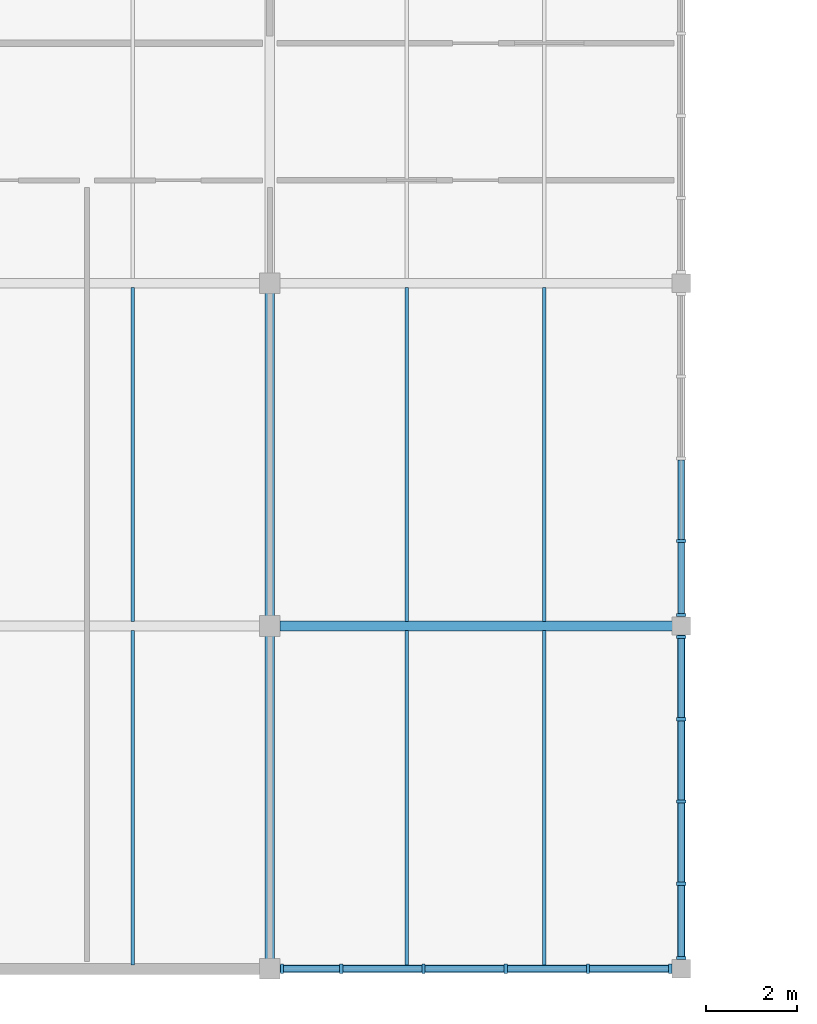
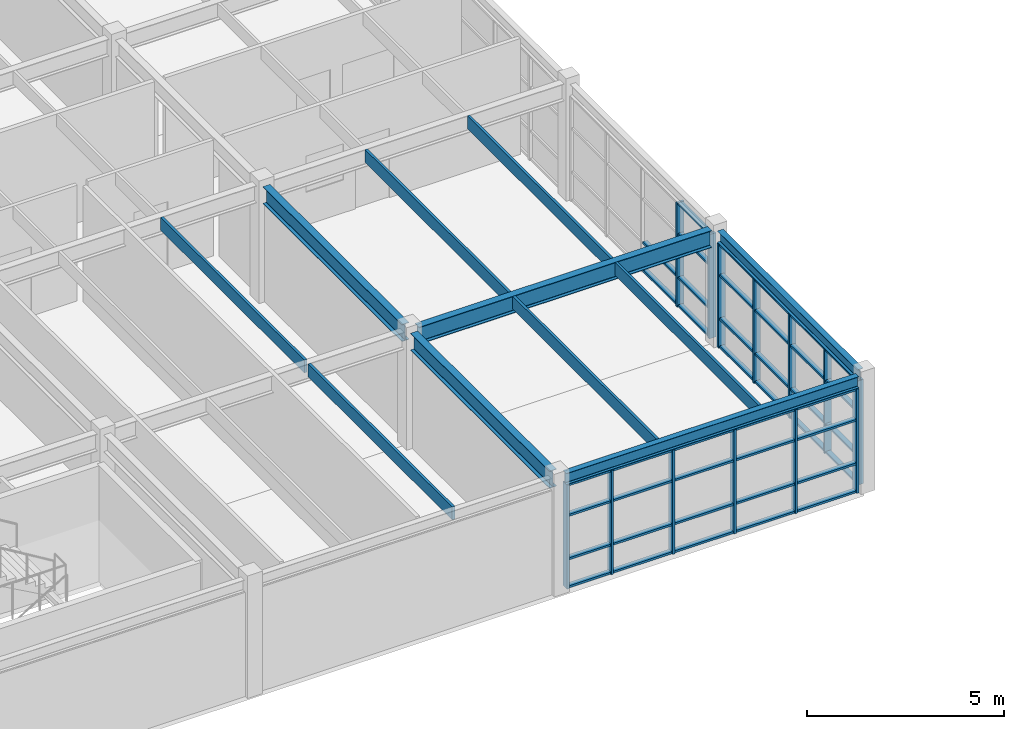
# One storey, part 5 of 81: 55 members, 11 beams, 3 elements without a shape of their own.
"""IFC4 building model written with IfcOpenShell, lengths in metres."""

from ifc_helpers import new_model, si_unit, direction, frame, origin, origin_2d, place, context, subcontext, project, spatial, rectangle, i_section, extrude, material, layer, layer_set, material_profile, profile_set, type_object, element, aggregate, save


model = new_model("IFC4")

# Units and contexts
model_context = context("Model", 3, precision=1e-05, world=origin(), true_north=direction((0.0, 1.0)))
body_context = subcontext(model_context, "Body", "Model", "MODEL_VIEW")
ifc_project = project(units=[si_unit("LENGTHUNIT", "METRE"), si_unit("AREAUNIT", "SQUARE_METRE"), si_unit("VOLUMEUNIT", "CUBIC_METRE"), si_unit("PLANEANGLEUNIT", "RADIAN"), si_unit("MASSUNIT", "GRAM", prefix="KILO")], contexts=[model_context])

# Site, building, storey
site_placement = place(None, origin())
site = spatial("IfcSite", under=ifc_project, at=site_placement, CompositionType="ELEMENT")
building_placement = place(site_placement, origin())
building = spatial("IfcBuilding", under=site, at=building_placement, Name="Marnridge Secondary College", CompositionType="ELEMENT")
storey_placement = place(building_placement, frame((0.0, 0.0, 8.5)))
storey = spatial("IfcBuildingStorey", under=building, at=storey_placement, Name="L02", CompositionType="ELEMENT", Elevation=8.5)

# Beams
ifc_material_1 = material(Name="Engineered timber LVL E13.2", Category="wood")
ifc_material_profile_1 = material_profile(ifc_material_1, rectangle(XDim=0.074951171875, YDim=0.39990234375, at=origin_2d()), Name="LVL 75x400")
ifc_profile_set_1 = profile_set([ifc_material_profile_1], Name="Engineered timber LVL E13.2")
beam_type_1 = type_object("IfcBeamType", Name="BM-LVL400-INT", PredefinedType="JOIST", material=ifc_profile_set_1)
beam_1_placement = place(storey_placement, frame((33.0, 0.07958984375, 3.389892578125), z_axis=(0.0, 1.0, 0.0), x_axis=(-1.0, 0.0, 0.0)))
element("IfcBeam", 1, at=beam_1_placement, inside=storey, type_object=beam_type_1, Name="Beam BJ-L02-1019", PredefinedType="JOIST", context=body_context, shape_type="SweptSolid", body=[
    extrude(rectangle(XDim=0.074951171875, YDim=0.39990234375, at=origin_2d()), origin(), (0.0, 0.0, 1.0), 7.32177734375),
])
beam_2_placement = place(storey_placement, frame((33.0, 7.5986328125, 3.389892578125), z_axis=(0.0, 1.0, 0.0), x_axis=(-1.0, 0.0, 0.0)))
element("IfcBeam", 2, at=beam_2_placement, inside=storey, type_object=beam_type_1, Name="Beam BJ-L02-1021", PredefinedType="JOIST", context=body_context, shape_type="SweptSolid", body=[
    extrude(rectangle(XDim=0.074951171875, YDim=0.39990234375, at=origin_2d()), origin(), (0.0, 0.0, 1.0), 7.302734375),
])
for number, where, z_axis, x_axis, name in (
    (3, (39.0, 0.07958984375, 3.389892578125), (0.0, 1.0, 0.0), (-1.0, 0.0, 0.0), "Beam BJ-L02-1026"),
    (4, (42.0, 0.07958984375, 3.389892578125), (0.0, 1.0, 0.0), (-1.0, 0.0, 0.0), "Beam BJ-L02-1027"),
):
    element("IfcBeam", number, at=place(storey_placement, frame(where, z_axis=z_axis, x_axis=x_axis)), inside=storey, type_object=beam_type_1, Name=name, PredefinedType="JOIST", context=body_context, shape_type="SweptSolid", body=[
        extrude(rectangle(XDim=0.074951171875, YDim=0.39990234375, at=origin_2d()), origin(), (0.0, 0.0, 1.0), 7.32177734375),
    ])
for number, where, z_axis, x_axis, name in (
    (5, (39.0, 7.5986328125, 3.389892578125), (0.0, 1.0, 0.0), (-1.0, 0.0, 0.0), "Beam BJ-L02-1028"),
    (6, (42.0, 7.5986328125, 3.389892578125), (0.0, 1.0, 0.0), (-1.0, 0.0, 0.0), "Beam BJ-L02-1029"),
):
    element("IfcBeam", number, at=place(storey_placement, frame(where, z_axis=z_axis, x_axis=x_axis)), inside=storey, type_object=beam_type_1, Name=name, PredefinedType="JOIST", context=body_context, shape_type="SweptSolid", body=[
        extrude(rectangle(XDim=0.074951171875, YDim=0.39990234375, at=origin_2d()), origin(), (0.0, 0.0, 1.0), 7.302734375),
    ])
ifc_material_2 = material(Name="Structural steel Grade 350 (AS/NZS 3679.1/.2, fy = 340-360 MPa)", Category="steel")
ifc_material_profile_2 = material_profile(ifc_material_2, i_section(OverallWidth=0.1708984375, OverallDepth=0.35205078125, WebThickness=0.0068359375, FlangeThickness=0.009765625, FilletRadius=0.011474609375, at=origin_2d()), Name="360UB44.7")
ifc_profile_set_2 = profile_set([ifc_material_profile_2], Name="Structural steel Grade 350 (AS/NZS 3679.1/.2, fy = 340-360 MPa)")
beam_type_2 = type_object("IfcBeamType", Name="BM-UB360-EXT", PredefinedType="SPANDREL", material=ifc_profile_set_2)
beam_3_placement = place(storey_placement, frame((36.218994140625, 0.0, 3.4140625), z_axis=(1.0, 0.0, 0.0), x_axis=(0.0, 1.0, 0.0)))
element("IfcBeam", 7, at=beam_3_placement, inside=storey, type_object=beam_type_2, Name="Beam BS-L02-0981", PredefinedType="SPANDREL", context=body_context, shape_type="SweptSolid", body=[
    extrude(i_section(OverallWidth=0.1708984375, OverallDepth=0.35205078125, WebThickness=0.0068359375, FlangeThickness=0.009765625, FilletRadius=0.011474609375, at=origin_2d()), origin(), (0.0, 0.0, 1.0), 8.5869140625),
])
beam_4_placement = place(storey_placement, frame((45.0, 0.194091796875, 3.4140625), z_axis=(0.0, 1.0, 0.0), x_axis=(-1.0, 0.0, 0.0)))
element("IfcBeam", 8, at=beam_4_placement, inside=storey, type_object=beam_type_2, Name="Beam BS-L02-0983", PredefinedType="SPANDREL", context=body_context, shape_type="SweptSolid", body=[
    extrude(i_section(OverallWidth=0.1708984375, OverallDepth=0.35205078125, WebThickness=0.0068359375, FlangeThickness=0.009765625, FilletRadius=0.011474609375, at=origin_2d()), origin(), (0.0, 0.0, 1.0), 7.11181640625),
])
ifc_material_3 = material(Name="Structural steel Grade 350 (AS/NZS 3679.1/.2, fy = 340-360 MPa)", Category="steel")
ifc_material_profile_3 = material_profile(ifc_material_3, i_section(OverallWidth=0.209228515625, OverallDepth=0.532958984375, WebThickness=0.01025390625, FlangeThickness=0.015625, FilletRadius=0.013916015625, at=origin_2d()), Name="530UB92.4")
ifc_profile_set_3 = profile_set([ifc_material_profile_3], Name="Structural steel Grade 350 (AS/NZS 3679.1/.2, fy = 340-360 MPa)")
beam_type_3 = type_object("IfcBeamType", Name="BM-UB530A-INT", PredefinedType="BEAM", material=ifc_profile_set_3)
for number, where, z_axis, x_axis, name in (
    (9, (36.0, 0.218994140625, 3.323486328125), (0.0, 1.0, 0.0), (-1.0, 0.0, 0.0), "Beam B-L02-0974"),
    (10, (36.0, 7.718994140625, 3.323486328125), (0.0, 1.0, 0.0), (-1.0, 0.0, 0.0), "Beam B-L02-0976"),
):
    element("IfcBeam", number, at=place(storey_placement, frame(where, z_axis=z_axis, x_axis=x_axis)), inside=storey, type_object=beam_type_3, Name=name, PredefinedType="BEAM", context=body_context, shape_type="SweptSolid", body=[
        extrude(i_section(OverallWidth=0.209228515625, OverallDepth=0.532958984375, WebThickness=0.01025390625, FlangeThickness=0.015625, FilletRadius=0.013916015625, at=origin_2d()), origin(), (0.0, 0.0, 1.0), 7.06201171875),
    ])
beam_5_placement = place(storey_placement, frame((36.218994140625, 7.5, 3.323486328125), z_axis=(1.0, 0.0, 0.0), x_axis=(0.0, 1.0, 0.0)))
element("IfcBeam", 11, at=beam_5_placement, inside=storey, type_object=beam_type_3, Name="Beam B-L02-0982", PredefinedType="BEAM", context=body_context, shape_type="SweptSolid", body=[
    extrude(i_section(OverallWidth=0.209228515625, OverallDepth=0.532958984375, WebThickness=0.01025390625, FlangeThickness=0.015625, FilletRadius=0.013916015625, at=origin_2d()), origin(), (0.0, 0.0, 1.0), 8.5869140625),
])

# Curtain wall, members
ifc_material_4 = material(Name="Bronze-anodised aluminium and solar-control glazing", Category="aluminium")
ifc_layer = layer(ifc_material_4, 0.199951171875)
ifc_layer_set = layer_set([ifc_layer], Name="CW-MOD-1800")
curtain_wall_type = type_object("IfcCurtainWallType", Name="CW-MOD-1800", PredefinedType="NOTDEFINED", material=ifc_layer_set)
curtain_wall_1_placement = place(storey_placement, origin())
curtain_wall_1 = element("IfcCurtainWall", 12, at=curtain_wall_1_placement, inside=storey, type_object=curtain_wall_type, Name="Unitised curtain wall CW-L02-108", PredefinedType="NOTDEFINED")
ifc_material_5 = material(Name="Bronze-anodised aluminium 6063-T6", Category="aluminium")
ifc_material_profile_4 = material_profile(ifc_material_5, rectangle(XDim=0.070068359375, YDim=0.199951171875, at=origin_2d()), Name="ALU 70x200")
ifc_profile_set_4 = profile_set([ifc_material_profile_4], Name="Bronze-anodised aluminium 6063-T6")
member_type_1 = type_object("IfcMemberType", Name="CWM-ALU200", PredefinedType="MULLION", material=ifc_profile_set_4)
member_1_placement = place(storey_placement, frame((45.0, 9.361083984375, 0.0), z_axis=(0.0, 0.0, 1.0), x_axis=(0.0, -1.0, 0.0)))
member_1 = element("IfcMember", 13, at=member_1_placement, type_object=member_type_1, Name="CW-L02-108 mullion 4", PredefinedType="MULLION", context=body_context, shape_type="SweptSolid", body=[
    extrude(rectangle(XDim=0.070068359375, YDim=0.199951171875, at=origin_2d()), origin(), (0.0, 0.0, 1.0), 3.22998046875),
])
member_2_placement = place(storey_placement, frame((45.0, 7.739013671875, 0.0), z_axis=(0.0, 0.0, 1.0), x_axis=(0.0, -1.0, 0.0)))
member_2 = element("IfcMember", 14, at=member_2_placement, type_object=member_type_1, Name="CW-L02-108 mullion 5", PredefinedType="MULLION", context=body_context, shape_type="SweptSolid", body=[
    extrude(rectangle(XDim=0.070068359375, YDim=0.199951171875, at=origin_2d()), origin(), (0.0, 0.0, 1.0), 3.22998046875),
])

curtain_wall_2_placement = place(storey_placement, origin())
curtain_wall_2 = element("IfcCurtainWall", 15, at=curtain_wall_2_placement, inside=storey, type_object=curtain_wall_type, Name="Unitised curtain wall CW-L02-109", PredefinedType="NOTDEFINED")
member_3_placement = place(storey_placement, frame((45.0, 7.260986328125, 0.0), z_axis=(0.0, 0.0, 1.0), x_axis=(0.0, -1.0, 0.0)))
member_3 = element("IfcMember", 16, at=member_3_placement, type_object=member_type_1, Name="CW-L02-109 mullion 1", PredefinedType="MULLION", context=body_context, shape_type="SweptSolid", body=[
    extrude(rectangle(XDim=0.070068359375, YDim=0.199951171875, at=origin_2d()), origin(), (0.0, 0.0, 1.0), 3.22998046875),
])
member_4_placement = place(storey_placement, frame((45.0, 5.4609375, 0.0), z_axis=(0.0, 0.0, 1.0), x_axis=(0.0, -1.0, 0.0)))
member_4 = element("IfcMember", 17, at=member_4_placement, type_object=member_type_1, Name="CW-L02-109 mullion 2", PredefinedType="MULLION", context=body_context, shape_type="SweptSolid", body=[
    extrude(rectangle(XDim=0.070068359375, YDim=0.199951171875, at=origin_2d()), origin(), (0.0, 0.0, 1.0), 3.22998046875),
])
member_5_placement = place(storey_placement, frame((45.0, 3.660888671875, 0.0), z_axis=(0.0, 0.0, 1.0), x_axis=(0.0, -1.0, 0.0)))
member_5 = element("IfcMember", 18, at=member_5_placement, type_object=member_type_1, Name="CW-L02-109 mullion 3", PredefinedType="MULLION", context=body_context, shape_type="SweptSolid", body=[
    extrude(rectangle(XDim=0.070068359375, YDim=0.199951171875, at=origin_2d()), origin(), (0.0, 0.0, 1.0), 3.22998046875),
])
member_6_placement = place(storey_placement, frame((45.0, 1.861083984375, 0.0), z_axis=(0.0, 0.0, 1.0), x_axis=(0.0, -1.0, 0.0)))
member_6 = element("IfcMember", 19, at=member_6_placement, type_object=member_type_1, Name="CW-L02-109 mullion 4", PredefinedType="MULLION", context=body_context, shape_type="SweptSolid", body=[
    extrude(rectangle(XDim=0.070068359375, YDim=0.199951171875, at=origin_2d()), origin(), (0.0, 0.0, 1.0), 3.22998046875),
])
member_7_placement = place(storey_placement, frame((45.0, 0.239013671875, 0.0), z_axis=(0.0, 0.0, 1.0), x_axis=(0.0, -1.0, 0.0)))
member_7 = element("IfcMember", 20, at=member_7_placement, type_object=member_type_1, Name="CW-L02-109 mullion 5", PredefinedType="MULLION", context=body_context, shape_type="SweptSolid", body=[
    extrude(rectangle(XDim=0.070068359375, YDim=0.199951171875, at=origin_2d()), origin(), (0.0, 0.0, 1.0), 3.22998046875),
])

curtain_wall_3_placement = place(storey_placement, origin())
curtain_wall_3 = element("IfcCurtainWall", 21, at=curtain_wall_3_placement, inside=storey, type_object=curtain_wall_type, Name="Unitised curtain wall CW-L02-110", PredefinedType="NOTDEFINED")
member_8_placement = place(storey_placement, frame((44.760986328125, 0.0, 0.0), z_axis=(0.0, 0.0, 1.0), x_axis=(-1.0, 0.0, 0.0)))
member_8 = element("IfcMember", 22, at=member_8_placement, type_object=member_type_1, Name="CW-L02-110 mullion 1", PredefinedType="MULLION", context=body_context, shape_type="SweptSolid", body=[
    extrude(rectangle(XDim=0.070068359375, YDim=0.199951171875, at=origin_2d()), origin(), (0.0, 0.0, 1.0), 3.22998046875),
])
member_9_placement = place(storey_placement, frame((42.9609375, 0.0, 0.0), z_axis=(0.0, 0.0, 1.0), x_axis=(-1.0, 0.0, 0.0)))
member_9 = element("IfcMember", 23, at=member_9_placement, type_object=member_type_1, Name="CW-L02-110 mullion 2", PredefinedType="MULLION", context=body_context, shape_type="SweptSolid", body=[
    extrude(rectangle(XDim=0.070068359375, YDim=0.199951171875, at=origin_2d()), origin(), (0.0, 0.0, 1.0), 3.22998046875),
])
member_10_placement = place(storey_placement, frame((41.160888671875, 0.0, 0.0), z_axis=(0.0, 0.0, 1.0), x_axis=(-1.0, 0.0, 0.0)))
member_10 = element("IfcMember", 24, at=member_10_placement, type_object=member_type_1, Name="CW-L02-110 mullion 3", PredefinedType="MULLION", context=body_context, shape_type="SweptSolid", body=[
    extrude(rectangle(XDim=0.070068359375, YDim=0.199951171875, at=origin_2d()), origin(), (0.0, 0.0, 1.0), 3.22998046875),
])
member_11_placement = place(storey_placement, frame((39.361083984375, 0.0, 0.0), z_axis=(0.0, 0.0, 1.0), x_axis=(-1.0, 0.0, 0.0)))
member_11 = element("IfcMember", 25, at=member_11_placement, type_object=member_type_1, Name="CW-L02-110 mullion 4", PredefinedType="MULLION", context=body_context, shape_type="SweptSolid", body=[
    extrude(rectangle(XDim=0.070068359375, YDim=0.199951171875, at=origin_2d()), origin(), (0.0, 0.0, 1.0), 3.22998046875),
])
member_12_placement = place(storey_placement, frame((37.56103515625, 0.0, 0.0), z_axis=(0.0, 0.0, 1.0), x_axis=(-1.0, 0.0, 0.0)))
member_12 = element("IfcMember", 26, at=member_12_placement, type_object=member_type_1, Name="CW-L02-110 mullion 5", PredefinedType="MULLION", context=body_context, shape_type="SweptSolid", body=[
    extrude(rectangle(XDim=0.070068359375, YDim=0.199951171875, at=origin_2d()), origin(), (0.0, 0.0, 1.0), 3.22998046875),
])
member_13_placement = place(storey_placement, frame((36.263916015625, 0.0, 0.0), z_axis=(0.0, 0.0, 1.0), x_axis=(-1.0, 0.0, 0.0)))
member_13 = element("IfcMember", 27, at=member_13_placement, type_object=member_type_1, Name="CW-L02-110 mullion 6", PredefinedType="MULLION", context=body_context, shape_type="SweptSolid", body=[
    extrude(rectangle(XDim=0.070068359375, YDim=0.199951171875, at=origin_2d()), origin(), (0.0, 0.0, 1.0), 3.22998046875),
])

# Member
ifc_material_6 = material(Name="Anodised aluminium 6063-T6", Category="aluminium")
ifc_material_profile_5 = material_profile(ifc_material_6, rectangle(XDim=0.06494140625, YDim=0.139892578125, at=origin_2d()), Name="ALU 65x140")
ifc_profile_set_5 = profile_set([ifc_material_profile_5], Name="Anodised aluminium 6063-T6")
member_type_2 = type_object("IfcMemberType", Name="CWT-ALU140", PredefinedType="USERDEFINED", material=ifc_profile_set_5)
member_14_placement = place(storey_placement, frame((45.0, 11.1259765625, 0.032470703125), z_axis=(0.0, -1.0, 0.0), x_axis=(0.0, 0.0, 1.0)))
member_14 = element("IfcMember", 28, at=member_14_placement, type_object=member_type_2, Name="CW-L02-108 transom 3.1", ObjectType="TRANSOM", PredefinedType="USERDEFINED", context=body_context, shape_type="SweptSolid", body=[
    extrude(rectangle(XDim=0.06494140625, YDim=0.139892578125, at=origin_2d()), origin(), (0.0, 0.0, 1.0), 1.72998046875),
])

member_15_placement = place(storey_placement, frame((45.0, 11.1259765625, 0.89990234375), z_axis=(0.0, -1.0, 0.0), x_axis=(0.0, 0.0, 1.0)))
member_15 = element("IfcMember", 29, at=member_15_placement, type_object=member_type_2, Name="CW-L02-108 transom 3.2", ObjectType="TRANSOM", PredefinedType="USERDEFINED", context=body_context, shape_type="SweptSolid", body=[
    extrude(rectangle(XDim=0.06494140625, YDim=0.139892578125, at=origin_2d()), origin(), (0.0, 0.0, 1.0), 1.72998046875),
])

member_16_placement = place(storey_placement, frame((45.0, 9.325927734375, 0.032470703125), z_axis=(0.0, -1.0, 0.0), x_axis=(0.0, 0.0, 1.0)))
member_16 = element("IfcMember", 30, at=member_16_placement, type_object=member_type_2, Name="CW-L02-108 transom 4.1", ObjectType="TRANSOM", PredefinedType="USERDEFINED", context=body_context, shape_type="SweptSolid", body=[
    extrude(rectangle(XDim=0.06494140625, YDim=0.139892578125, at=origin_2d()), origin(), (0.0, 0.0, 1.0), 1.552001953125),
])

member_17_placement = place(storey_placement, frame((45.0, 9.325927734375, 0.89990234375), z_axis=(0.0, -1.0, 0.0), x_axis=(0.0, 0.0, 1.0)))
member_17 = element("IfcMember", 31, at=member_17_placement, type_object=member_type_2, Name="CW-L02-108 transom 4.2", ObjectType="TRANSOM", PredefinedType="USERDEFINED", context=body_context, shape_type="SweptSolid", body=[
    extrude(rectangle(XDim=0.06494140625, YDim=0.139892578125, at=origin_2d()), origin(), (0.0, 0.0, 1.0), 1.552001953125),
])

member_18_placement = place(storey_placement, frame((45.0, 9.325927734375, 2.25), z_axis=(0.0, -1.0, 0.0), x_axis=(0.0, 0.0, 1.0)))
member_18 = element("IfcMember", 32, at=member_18_placement, type_object=member_type_2, Name="CW-L02-108 transom 4.3", ObjectType="TRANSOM", PredefinedType="USERDEFINED", context=body_context, shape_type="SweptSolid", body=[
    extrude(rectangle(XDim=0.06494140625, YDim=0.139892578125, at=origin_2d()), origin(), (0.0, 0.0, 1.0), 1.552001953125),
])

member_19_placement = place(storey_placement, frame((45.0, 9.325927734375, 3.197509765625), z_axis=(0.0, -1.0, 0.0), x_axis=(0.0, 0.0, 1.0)))
member_19 = element("IfcMember", 33, at=member_19_placement, type_object=member_type_2, Name="CW-L02-108 transom 4.4", ObjectType="TRANSOM", PredefinedType="USERDEFINED", context=body_context, shape_type="SweptSolid", body=[
    extrude(rectangle(XDim=0.06494140625, YDim=0.139892578125, at=origin_2d()), origin(), (0.0, 0.0, 1.0), 1.552001953125),
])

aggregate(curtain_wall_1, [member_1, member_2, member_14, member_15, member_16, member_17, member_18, member_19])

member_20_placement = place(storey_placement, frame((45.0, 7.22607421875, 0.032470703125), z_axis=(0.0, -1.0, 0.0), x_axis=(0.0, 0.0, 1.0)))
member_20 = element("IfcMember", 34, at=member_20_placement, type_object=member_type_2, Name="CW-L02-109 transom 1.1", ObjectType="TRANSOM", PredefinedType="USERDEFINED", context=body_context, shape_type="SweptSolid", body=[
    extrude(rectangle(XDim=0.06494140625, YDim=0.139892578125, at=origin_2d()), origin(), (0.0, 0.0, 1.0), 1.72998046875),
])

member_21_placement = place(storey_placement, frame((45.0, 7.22607421875, 0.89990234375), z_axis=(0.0, -1.0, 0.0), x_axis=(0.0, 0.0, 1.0)))
member_21 = element("IfcMember", 35, at=member_21_placement, type_object=member_type_2, Name="CW-L02-109 transom 1.2", ObjectType="TRANSOM", PredefinedType="USERDEFINED", context=body_context, shape_type="SweptSolid", body=[
    extrude(rectangle(XDim=0.06494140625, YDim=0.139892578125, at=origin_2d()), origin(), (0.0, 0.0, 1.0), 1.72998046875),
])

member_22_placement = place(storey_placement, frame((45.0, 7.22607421875, 2.25), z_axis=(0.0, -1.0, 0.0), x_axis=(0.0, 0.0, 1.0)))
member_22 = element("IfcMember", 36, at=member_22_placement, type_object=member_type_2, Name="CW-L02-109 transom 1.3", ObjectType="TRANSOM", PredefinedType="USERDEFINED", context=body_context, shape_type="SweptSolid", body=[
    extrude(rectangle(XDim=0.06494140625, YDim=0.139892578125, at=origin_2d()), origin(), (0.0, 0.0, 1.0), 1.72998046875),
])

member_23_placement = place(storey_placement, frame((45.0, 7.22607421875, 3.197509765625), z_axis=(0.0, -1.0, 0.0), x_axis=(0.0, 0.0, 1.0)))
member_23 = element("IfcMember", 37, at=member_23_placement, type_object=member_type_2, Name="CW-L02-109 transom 1.4", ObjectType="TRANSOM", PredefinedType="USERDEFINED", context=body_context, shape_type="SweptSolid", body=[
    extrude(rectangle(XDim=0.06494140625, YDim=0.139892578125, at=origin_2d()), origin(), (0.0, 0.0, 1.0), 1.72998046875),
])

member_24_placement = place(storey_placement, frame((45.0, 5.426025390625, 0.032470703125), z_axis=(0.0, -1.0, 0.0), x_axis=(0.0, 0.0, 1.0)))
member_24 = element("IfcMember", 38, at=member_24_placement, type_object=member_type_2, Name="CW-L02-109 transom 2.1", ObjectType="TRANSOM", PredefinedType="USERDEFINED", context=body_context, shape_type="SweptSolid", body=[
    extrude(rectangle(XDim=0.06494140625, YDim=0.139892578125, at=origin_2d()), origin(), (0.0, 0.0, 1.0), 1.72998046875),
])

member_25_placement = place(storey_placement, frame((45.0, 5.426025390625, 0.89990234375), z_axis=(0.0, -1.0, 0.0), x_axis=(0.0, 0.0, 1.0)))
member_25 = element("IfcMember", 39, at=member_25_placement, type_object=member_type_2, Name="CW-L02-109 transom 2.2", ObjectType="TRANSOM", PredefinedType="USERDEFINED", context=body_context, shape_type="SweptSolid", body=[
    extrude(rectangle(XDim=0.06494140625, YDim=0.139892578125, at=origin_2d()), origin(), (0.0, 0.0, 1.0), 1.72998046875),
])

member_26_placement = place(storey_placement, frame((45.0, 5.426025390625, 2.25), z_axis=(0.0, -1.0, 0.0), x_axis=(0.0, 0.0, 1.0)))
member_26 = element("IfcMember", 40, at=member_26_placement, type_object=member_type_2, Name="CW-L02-109 transom 2.3", ObjectType="TRANSOM", PredefinedType="USERDEFINED", context=body_context, shape_type="SweptSolid", body=[
    extrude(rectangle(XDim=0.06494140625, YDim=0.139892578125, at=origin_2d()), origin(), (0.0, 0.0, 1.0), 1.72998046875),
])

member_27_placement = place(storey_placement, frame((45.0, 5.426025390625, 3.197509765625), z_axis=(0.0, -1.0, 0.0), x_axis=(0.0, 0.0, 1.0)))
member_27 = element("IfcMember", 41, at=member_27_placement, type_object=member_type_2, Name="CW-L02-109 transom 2.4", ObjectType="TRANSOM", PredefinedType="USERDEFINED", context=body_context, shape_type="SweptSolid", body=[
    extrude(rectangle(XDim=0.06494140625, YDim=0.139892578125, at=origin_2d()), origin(), (0.0, 0.0, 1.0), 1.72998046875),
])

member_28_placement = place(storey_placement, frame((45.0, 3.6259765625, 0.032470703125), z_axis=(0.0, -1.0, 0.0), x_axis=(0.0, 0.0, 1.0)))
member_28 = element("IfcMember", 42, at=member_28_placement, type_object=member_type_2, Name="CW-L02-109 transom 3.1", ObjectType="TRANSOM", PredefinedType="USERDEFINED", context=body_context, shape_type="SweptSolid", body=[
    extrude(rectangle(XDim=0.06494140625, YDim=0.139892578125, at=origin_2d()), origin(), (0.0, 0.0, 1.0), 1.72998046875),
])

member_29_placement = place(storey_placement, frame((45.0, 3.6259765625, 0.89990234375), z_axis=(0.0, -1.0, 0.0), x_axis=(0.0, 0.0, 1.0)))
member_29 = element("IfcMember", 43, at=member_29_placement, type_object=member_type_2, Name="CW-L02-109 transom 3.2", ObjectType="TRANSOM", PredefinedType="USERDEFINED", context=body_context, shape_type="SweptSolid", body=[
    extrude(rectangle(XDim=0.06494140625, YDim=0.139892578125, at=origin_2d()), origin(), (0.0, 0.0, 1.0), 1.72998046875),
])

member_30_placement = place(storey_placement, frame((45.0, 3.6259765625, 2.25), z_axis=(0.0, -1.0, 0.0), x_axis=(0.0, 0.0, 1.0)))
member_30 = element("IfcMember", 44, at=member_30_placement, type_object=member_type_2, Name="CW-L02-109 transom 3.3", ObjectType="TRANSOM", PredefinedType="USERDEFINED", context=body_context, shape_type="SweptSolid", body=[
    extrude(rectangle(XDim=0.06494140625, YDim=0.139892578125, at=origin_2d()), origin(), (0.0, 0.0, 1.0), 1.72998046875),
])

member_31_placement = place(storey_placement, frame((45.0, 3.6259765625, 3.197509765625), z_axis=(0.0, -1.0, 0.0), x_axis=(0.0, 0.0, 1.0)))
member_31 = element("IfcMember", 45, at=member_31_placement, type_object=member_type_2, Name="CW-L02-109 transom 3.4", ObjectType="TRANSOM", PredefinedType="USERDEFINED", context=body_context, shape_type="SweptSolid", body=[
    extrude(rectangle(XDim=0.06494140625, YDim=0.139892578125, at=origin_2d()), origin(), (0.0, 0.0, 1.0), 1.72998046875),
])

member_32_placement = place(storey_placement, frame((45.0, 1.825927734375, 0.032470703125), z_axis=(0.0, -1.0, 0.0), x_axis=(0.0, 0.0, 1.0)))
member_32 = element("IfcMember", 46, at=member_32_placement, type_object=member_type_2, Name="CW-L02-109 transom 4.1", ObjectType="TRANSOM", PredefinedType="USERDEFINED", context=body_context, shape_type="SweptSolid", body=[
    extrude(rectangle(XDim=0.06494140625, YDim=0.139892578125, at=origin_2d()), origin(), (0.0, 0.0, 1.0), 1.552001953125),
])

member_33_placement = place(storey_placement, frame((45.0, 1.825927734375, 0.89990234375), z_axis=(0.0, -1.0, 0.0), x_axis=(0.0, 0.0, 1.0)))
member_33 = element("IfcMember", 47, at=member_33_placement, type_object=member_type_2, Name="CW-L02-109 transom 4.2", ObjectType="TRANSOM", PredefinedType="USERDEFINED", context=body_context, shape_type="SweptSolid", body=[
    extrude(rectangle(XDim=0.06494140625, YDim=0.139892578125, at=origin_2d()), origin(), (0.0, 0.0, 1.0), 1.552001953125),
])

member_34_placement = place(storey_placement, frame((45.0, 1.825927734375, 2.25), z_axis=(0.0, -1.0, 0.0), x_axis=(0.0, 0.0, 1.0)))
member_34 = element("IfcMember", 48, at=member_34_placement, type_object=member_type_2, Name="CW-L02-109 transom 4.3", ObjectType="TRANSOM", PredefinedType="USERDEFINED", context=body_context, shape_type="SweptSolid", body=[
    extrude(rectangle(XDim=0.06494140625, YDim=0.139892578125, at=origin_2d()), origin(), (0.0, 0.0, 1.0), 1.552001953125),
])

member_35_placement = place(storey_placement, frame((45.0, 1.825927734375, 3.197509765625), z_axis=(0.0, -1.0, 0.0), x_axis=(0.0, 0.0, 1.0)))
member_35 = element("IfcMember", 49, at=member_35_placement, type_object=member_type_2, Name="CW-L02-109 transom 4.4", ObjectType="TRANSOM", PredefinedType="USERDEFINED", context=body_context, shape_type="SweptSolid", body=[
    extrude(rectangle(XDim=0.06494140625, YDim=0.139892578125, at=origin_2d()), origin(), (0.0, 0.0, 1.0), 1.552001953125),
])

aggregate(curtain_wall_2, [member_3, member_4, member_5, member_6, member_7, member_20, member_21, member_22, member_23, member_24, member_25, member_26, member_27, member_28, member_29, member_30, member_31, member_32, member_33, member_34, member_35])

member_36_placement = place(storey_placement, frame((44.72607421875, 0.0, 0.032470703125), z_axis=(-1.0, 0.0, 0.0), x_axis=(0.0, 0.0, 1.0)))
member_36 = element("IfcMember", 50, at=member_36_placement, type_object=member_type_2, Name="CW-L02-110 transom 1.1", ObjectType="TRANSOM", PredefinedType="USERDEFINED", context=body_context, shape_type="SweptSolid", body=[
    extrude(rectangle(XDim=0.06494140625, YDim=0.139892578125, at=origin_2d()), origin(), (0.0, 0.0, 1.0), 1.72998046875),
])

member_37_placement = place(storey_placement, frame((44.72607421875, 0.0, 0.89990234375), z_axis=(-1.0, 0.0, 0.0), x_axis=(0.0, 0.0, 1.0)))
member_37 = element("IfcMember", 51, at=member_37_placement, type_object=member_type_2, Name="CW-L02-110 transom 1.2", ObjectType="TRANSOM", PredefinedType="USERDEFINED", context=body_context, shape_type="SweptSolid", body=[
    extrude(rectangle(XDim=0.06494140625, YDim=0.139892578125, at=origin_2d()), origin(), (0.0, 0.0, 1.0), 1.72998046875),
])

member_38_placement = place(storey_placement, frame((44.72607421875, 0.0, 2.25), z_axis=(-1.0, 0.0, 0.0), x_axis=(0.0, 0.0, 1.0)))
member_38 = element("IfcMember", 52, at=member_38_placement, type_object=member_type_2, Name="CW-L02-110 transom 1.3", ObjectType="TRANSOM", PredefinedType="USERDEFINED", context=body_context, shape_type="SweptSolid", body=[
    extrude(rectangle(XDim=0.06494140625, YDim=0.139892578125, at=origin_2d()), origin(), (0.0, 0.0, 1.0), 1.72998046875),
])

member_39_placement = place(storey_placement, frame((44.72607421875, 0.0, 3.197509765625), z_axis=(-1.0, 0.0, 0.0), x_axis=(0.0, 0.0, 1.0)))
member_39 = element("IfcMember", 53, at=member_39_placement, type_object=member_type_2, Name="CW-L02-110 transom 1.4", ObjectType="TRANSOM", PredefinedType="USERDEFINED", context=body_context, shape_type="SweptSolid", body=[
    extrude(rectangle(XDim=0.06494140625, YDim=0.139892578125, at=origin_2d()), origin(), (0.0, 0.0, 1.0), 1.72998046875),
])

member_40_placement = place(storey_placement, frame((42.926025390625, 0.0, 0.032470703125), z_axis=(-1.0, 0.0, 0.0), x_axis=(0.0, 0.0, 1.0)))
member_40 = element("IfcMember", 54, at=member_40_placement, type_object=member_type_2, Name="CW-L02-110 transom 2.1", ObjectType="TRANSOM", PredefinedType="USERDEFINED", context=body_context, shape_type="SweptSolid", body=[
    extrude(rectangle(XDim=0.06494140625, YDim=0.139892578125, at=origin_2d()), origin(), (0.0, 0.0, 1.0), 1.72998046875),
])

member_41_placement = place(storey_placement, frame((42.926025390625, 0.0, 0.89990234375), z_axis=(-1.0, 0.0, 0.0), x_axis=(0.0, 0.0, 1.0)))
member_41 = element("IfcMember", 55, at=member_41_placement, type_object=member_type_2, Name="CW-L02-110 transom 2.2", ObjectType="TRANSOM", PredefinedType="USERDEFINED", context=body_context, shape_type="SweptSolid", body=[
    extrude(rectangle(XDim=0.06494140625, YDim=0.139892578125, at=origin_2d()), origin(), (0.0, 0.0, 1.0), 1.72998046875),
])

member_42_placement = place(storey_placement, frame((42.926025390625, 0.0, 2.25), z_axis=(-1.0, 0.0, 0.0), x_axis=(0.0, 0.0, 1.0)))
member_42 = element("IfcMember", 56, at=member_42_placement, type_object=member_type_2, Name="CW-L02-110 transom 2.3", ObjectType="TRANSOM", PredefinedType="USERDEFINED", context=body_context, shape_type="SweptSolid", body=[
    extrude(rectangle(XDim=0.06494140625, YDim=0.139892578125, at=origin_2d()), origin(), (0.0, 0.0, 1.0), 1.72998046875),
])

member_43_placement = place(storey_placement, frame((42.926025390625, 0.0, 3.197509765625), z_axis=(-1.0, 0.0, 0.0), x_axis=(0.0, 0.0, 1.0)))
member_43 = element("IfcMember", 57, at=member_43_placement, type_object=member_type_2, Name="CW-L02-110 transom 2.4", ObjectType="TRANSOM", PredefinedType="USERDEFINED", context=body_context, shape_type="SweptSolid", body=[
    extrude(rectangle(XDim=0.06494140625, YDim=0.139892578125, at=origin_2d()), origin(), (0.0, 0.0, 1.0), 1.72998046875),
])

member_44_placement = place(storey_placement, frame((41.1259765625, 0.0, 0.032470703125), z_axis=(-1.0, 0.0, 0.0), x_axis=(0.0, 0.0, 1.0)))
member_44 = element("IfcMember", 58, at=member_44_placement, type_object=member_type_2, Name="CW-L02-110 transom 3.1", ObjectType="TRANSOM", PredefinedType="USERDEFINED", context=body_context, shape_type="SweptSolid", body=[
    extrude(rectangle(XDim=0.06494140625, YDim=0.139892578125, at=origin_2d()), origin(), (0.0, 0.0, 1.0), 1.72998046875),
])

member_45_placement = place(storey_placement, frame((41.1259765625, 0.0, 0.89990234375), z_axis=(-1.0, 0.0, 0.0), x_axis=(0.0, 0.0, 1.0)))
member_45 = element("IfcMember", 59, at=member_45_placement, type_object=member_type_2, Name="CW-L02-110 transom 3.2", ObjectType="TRANSOM", PredefinedType="USERDEFINED", context=body_context, shape_type="SweptSolid", body=[
    extrude(rectangle(XDim=0.06494140625, YDim=0.139892578125, at=origin_2d()), origin(), (0.0, 0.0, 1.0), 1.72998046875),
])

member_46_placement = place(storey_placement, frame((41.1259765625, 0.0, 2.25), z_axis=(-1.0, 0.0, 0.0), x_axis=(0.0, 0.0, 1.0)))
member_46 = element("IfcMember", 60, at=member_46_placement, type_object=member_type_2, Name="CW-L02-110 transom 3.3", ObjectType="TRANSOM", PredefinedType="USERDEFINED", context=body_context, shape_type="SweptSolid", body=[
    extrude(rectangle(XDim=0.06494140625, YDim=0.139892578125, at=origin_2d()), origin(), (0.0, 0.0, 1.0), 1.72998046875),
])

member_47_placement = place(storey_placement, frame((41.1259765625, 0.0, 3.197509765625), z_axis=(-1.0, 0.0, 0.0), x_axis=(0.0, 0.0, 1.0)))
member_47 = element("IfcMember", 61, at=member_47_placement, type_object=member_type_2, Name="CW-L02-110 transom 3.4", ObjectType="TRANSOM", PredefinedType="USERDEFINED", context=body_context, shape_type="SweptSolid", body=[
    extrude(rectangle(XDim=0.06494140625, YDim=0.139892578125, at=origin_2d()), origin(), (0.0, 0.0, 1.0), 1.72998046875),
])

member_48_placement = place(storey_placement, frame((39.325927734375, 0.0, 0.032470703125), z_axis=(-1.0, 0.0, 0.0), x_axis=(0.0, 0.0, 1.0)))
member_48 = element("IfcMember", 62, at=member_48_placement, type_object=member_type_2, Name="CW-L02-110 transom 4.1", ObjectType="TRANSOM", PredefinedType="USERDEFINED", context=body_context, shape_type="SweptSolid", body=[
    extrude(rectangle(XDim=0.06494140625, YDim=0.139892578125, at=origin_2d()), origin(), (0.0, 0.0, 1.0), 1.72998046875),
])

member_49_placement = place(storey_placement, frame((39.325927734375, 0.0, 0.89990234375), z_axis=(-1.0, 0.0, 0.0), x_axis=(0.0, 0.0, 1.0)))
member_49 = element("IfcMember", 63, at=member_49_placement, type_object=member_type_2, Name="CW-L02-110 transom 4.2", ObjectType="TRANSOM", PredefinedType="USERDEFINED", context=body_context, shape_type="SweptSolid", body=[
    extrude(rectangle(XDim=0.06494140625, YDim=0.139892578125, at=origin_2d()), origin(), (0.0, 0.0, 1.0), 1.72998046875),
])

member_50_placement = place(storey_placement, frame((39.325927734375, 0.0, 2.25), z_axis=(-1.0, 0.0, 0.0), x_axis=(0.0, 0.0, 1.0)))
member_50 = element("IfcMember", 64, at=member_50_placement, type_object=member_type_2, Name="CW-L02-110 transom 4.3", ObjectType="TRANSOM", PredefinedType="USERDEFINED", context=body_context, shape_type="SweptSolid", body=[
    extrude(rectangle(XDim=0.06494140625, YDim=0.139892578125, at=origin_2d()), origin(), (0.0, 0.0, 1.0), 1.72998046875),
])

member_51_placement = place(storey_placement, frame((39.325927734375, 0.0, 3.197509765625), z_axis=(-1.0, 0.0, 0.0), x_axis=(0.0, 0.0, 1.0)))
member_51 = element("IfcMember", 65, at=member_51_placement, type_object=member_type_2, Name="CW-L02-110 transom 4.4", ObjectType="TRANSOM", PredefinedType="USERDEFINED", context=body_context, shape_type="SweptSolid", body=[
    extrude(rectangle(XDim=0.06494140625, YDim=0.139892578125, at=origin_2d()), origin(), (0.0, 0.0, 1.0), 1.72998046875),
])

member_52_placement = place(storey_placement, frame((37.52587890625, 0.0, 0.032470703125), z_axis=(-1.0, 0.0, 0.0), x_axis=(0.0, 0.0, 1.0)))
member_52 = element("IfcMember", 66, at=member_52_placement, type_object=member_type_2, Name="CW-L02-110 transom 5.1", ObjectType="TRANSOM", PredefinedType="USERDEFINED", context=body_context, shape_type="SweptSolid", body=[
    extrude(rectangle(XDim=0.06494140625, YDim=0.139892578125, at=origin_2d()), origin(), (0.0, 0.0, 1.0), 1.226806640625),
])

member_53_placement = place(storey_placement, frame((37.52587890625, 0.0, 0.89990234375), z_axis=(-1.0, 0.0, 0.0), x_axis=(0.0, 0.0, 1.0)))
member_53 = element("IfcMember", 67, at=member_53_placement, type_object=member_type_2, Name="CW-L02-110 transom 5.2", ObjectType="TRANSOM", PredefinedType="USERDEFINED", context=body_context, shape_type="SweptSolid", body=[
    extrude(rectangle(XDim=0.06494140625, YDim=0.139892578125, at=origin_2d()), origin(), (0.0, 0.0, 1.0), 1.226806640625),
])

member_54_placement = place(storey_placement, frame((37.52587890625, 0.0, 2.25), z_axis=(-1.0, 0.0, 0.0), x_axis=(0.0, 0.0, 1.0)))
member_54 = element("IfcMember", 68, at=member_54_placement, type_object=member_type_2, Name="CW-L02-110 transom 5.3", ObjectType="TRANSOM", PredefinedType="USERDEFINED", context=body_context, shape_type="SweptSolid", body=[
    extrude(rectangle(XDim=0.06494140625, YDim=0.139892578125, at=origin_2d()), origin(), (0.0, 0.0, 1.0), 1.226806640625),
])

member_55_placement = place(storey_placement, frame((37.52587890625, 0.0, 3.197509765625), z_axis=(-1.0, 0.0, 0.0), x_axis=(0.0, 0.0, 1.0)))
member_55 = element("IfcMember", 69, at=member_55_placement, type_object=member_type_2, Name="CW-L02-110 transom 5.4", ObjectType="TRANSOM", PredefinedType="USERDEFINED", context=body_context, shape_type="SweptSolid", body=[
    extrude(rectangle(XDim=0.06494140625, YDim=0.139892578125, at=origin_2d()), origin(), (0.0, 0.0, 1.0), 1.226806640625),
])

aggregate(curtain_wall_3, [member_8, member_9, member_10, member_11, member_12, member_13, member_36, member_37, member_38, member_39, member_40, member_41, member_42, member_43, member_44, member_45, member_46, member_47, member_48, member_49, member_50, member_51, member_52, member_53, member_54, member_55])

save(model, "model.ifc")
